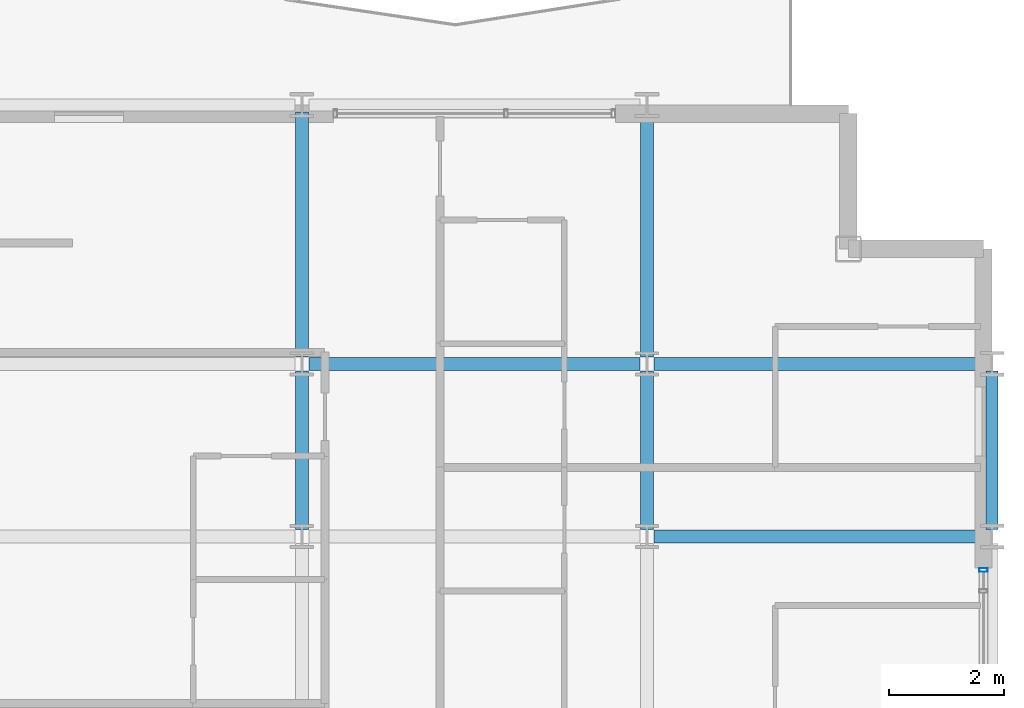
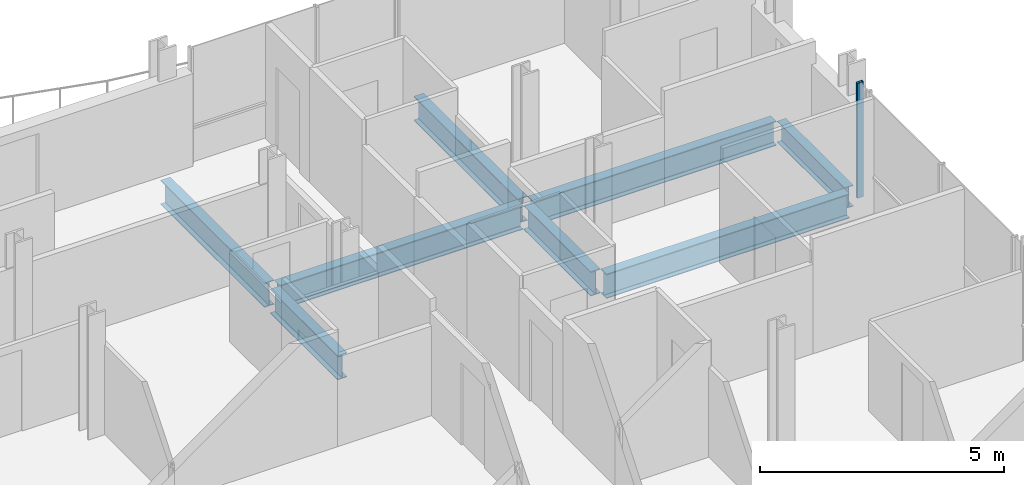
# One storey, part 20 of 40: 8 beams, 1 member, 1 element without a shape of its own.
"""IFC4 building model written with IfcOpenShell, lengths in metres."""

from ifc_helpers import new_model, si_unit, direction, frame, origin, origin_2d, place, context, subcontext, project, spatial, hollow_rectangle, i_section, extrude, material, layer, layer_set, material_profile, profile_set, type_object, element, aggregate, save


model = new_model("IFC4")

# Units and contexts
model_context = context("Model", 3, precision=1e-05, world=origin(), true_north=direction((0.0, 1.0)))
body_context = subcontext(model_context, "Body", "Model", "MODEL_VIEW")
ifc_project = project(units=[si_unit("LENGTHUNIT", "METRE"), si_unit("AREAUNIT", "SQUARE_METRE"), si_unit("VOLUMEUNIT", "CUBIC_METRE"), si_unit("PLANEANGLEUNIT", "RADIAN"), si_unit("MASSUNIT", "GRAM", prefix="KILO")], contexts=[model_context])

# Site, building, storey
site_placement = place(None, origin())
site = spatial("IfcSite", under=ifc_project, at=site_placement, CompositionType="ELEMENT")
building_placement = place(site_placement, origin())
building = spatial("IfcBuilding", under=site, at=building_placement, Name="Brevholm Reach", CompositionType="ELEMENT")
storey_placement = place(building_placement, frame((0.0, 0.0, 119.0)))
storey = spatial("IfcBuildingStorey", under=building, at=storey_placement, Name="L35", CompositionType="ELEMENT", Elevation=119.0)

# Beams
ifc_material_1 = material(Name="Structural Steel S355J2", Category="steel")
ifc_material_profile_1 = material_profile(ifc_material_1, i_section(OverallWidth=0.209228515625, OverallDepth=0.533203125, WebThickness=0.010009765625, FlangeThickness=0.015625, FilletRadius=0.0126953125, at=origin_2d()), Name="UKB 533x210x92")
ifc_profile_set_1 = profile_set([ifc_material_profile_1], Name="Structural Steel S355J2")
beam_type_1 = type_object("IfcBeamType", Name="BM-SP533", PredefinedType="SPANDREL", material=ifc_profile_set_1)
beam_1_placement = place(storey_placement, frame((60.0, 23.6201171875, -0.486572265625), z_axis=(0.0, 1.0, 0.0), x_axis=(-1.0, 0.0, 0.0)))
element("IfcBeam", 1, at=beam_1_placement, inside=storey, type_object=beam_type_1, Name="L35 SP-02 Framing Beam", PredefinedType="SPANDREL", context=body_context, shape_type="SweptSolid", body=[
    extrude(i_section(OverallWidth=0.209228515625, OverallDepth=0.533203125, WebThickness=0.010009765625, FlangeThickness=0.015625, FilletRadius=0.0126953125, at=origin_2d()), origin(), (0.0, 0.0, 1.0), 2.759765625),
])
ifc_material_2 = material(Name="Structural Steel S355J2", Category="steel")
ifc_material_profile_2 = material_profile(ifc_material_2, i_section(OverallWidth=0.22900390625, OverallDepth=0.6123046875, WebThickness=0.011962890625, FlangeThickness=0.01953125, FilletRadius=0.0126953125, at=origin_2d()), Name="UKB 610x229x125")
ifc_profile_set_2 = profile_set([ifc_material_profile_2], Name="Structural Steel S355J2")
beam_type_2 = type_object("IfcBeamType", Name="BM-SP610", PredefinedType="SPANDREL", material=ifc_profile_set_2)
for number, where, z_axis, x_axis, name in (
    (2, (54.1201171875, 23.5, -0.526123046875), (1.0, 0.0, 0.0), (0.0, 1.0, 0.0), "L35 SP-01 Framing Beam"),
    (3, (48.1201171875, 26.5, -0.526123046875), (1.0, 0.0, 0.0), (0.0, 1.0, 0.0), "L35 SP-01 Framing Beam"),
    (4, (54.1201171875, 26.5, -0.526123046875), (1.0, 0.0, 0.0), (0.0, 1.0, 0.0), "L35 SP-01 Framing Beam"),
):
    element("IfcBeam", number, at=place(storey_placement, frame(where, z_axis=z_axis, x_axis=x_axis)), inside=storey, type_object=beam_type_2, Name=name, PredefinedType="SPANDREL", context=body_context, shape_type="SweptSolid", body=[
        extrude(i_section(OverallWidth=0.22900390625, OverallDepth=0.6123046875, WebThickness=0.011962890625, FlangeThickness=0.01953125, FilletRadius=0.0126953125, at=origin_2d()), origin(), (0.0, 0.0, 1.0), 5.759765625),
    ])
beam_2_placement = place(storey_placement, frame((48.0, 23.6201171875, -0.526123046875), z_axis=(0.0, 1.0, 0.0), x_axis=(-1.0, 0.0, 0.0)))
element("IfcBeam", 5, at=beam_2_placement, inside=storey, type_object=beam_type_2, Name="L35 SP-01 Framing Beam", PredefinedType="SPANDREL", context=body_context, shape_type="SweptSolid", body=[
    extrude(i_section(OverallWidth=0.22900390625, OverallDepth=0.6123046875, WebThickness=0.011962890625, FlangeThickness=0.01953125, FilletRadius=0.0126953125, at=origin_2d()), origin(), (0.0, 0.0, 1.0), 2.759765625),
])
beam_3_placement = place(storey_placement, frame((48.0, 26.6201171875, -0.526123046875), z_axis=(0.0, 1.0, 0.0), x_axis=(-1.0, 0.0, 0.0)))
element("IfcBeam", 6, at=beam_3_placement, inside=storey, type_object=beam_type_2, Name="L35 SP-01 Framing Beam", PredefinedType="SPANDREL", context=body_context, shape_type="SweptSolid", body=[
    extrude(i_section(OverallWidth=0.22900390625, OverallDepth=0.6123046875, WebThickness=0.011962890625, FlangeThickness=0.01953125, FilletRadius=0.0126953125, at=origin_2d()), origin(), (0.0, 0.0, 1.0), 4.259765625),
])
beam_4_placement = place(storey_placement, frame((54.0, 23.6201171875, -0.526123046875), z_axis=(0.0, 1.0, 0.0), x_axis=(-1.0, 0.0, 0.0)))
element("IfcBeam", 7, at=beam_4_placement, inside=storey, type_object=beam_type_2, Name="L35 SP-01 Framing Beam", PredefinedType="SPANDREL", context=body_context, shape_type="SweptSolid", body=[
    extrude(i_section(OverallWidth=0.22900390625, OverallDepth=0.6123046875, WebThickness=0.011962890625, FlangeThickness=0.01953125, FilletRadius=0.0126953125, at=origin_2d()), origin(), (0.0, 0.0, 1.0), 2.759765625),
])
beam_5_placement = place(storey_placement, frame((54.0, 26.6201171875, -0.526123046875), z_axis=(0.0, 1.0, 0.0), x_axis=(-1.0, 0.0, 0.0)))
element("IfcBeam", 8, at=beam_5_placement, inside=storey, type_object=beam_type_2, Name="L35 SP-01 Framing Beam", PredefinedType="SPANDREL", context=body_context, shape_type="SweptSolid", body=[
    extrude(i_section(OverallWidth=0.22900390625, OverallDepth=0.6123046875, WebThickness=0.011962890625, FlangeThickness=0.01953125, FilletRadius=0.0126953125, at=origin_2d()), origin(), (0.0, 0.0, 1.0), 4.259765625),
])

# Curtain wall, member
ifc_material_3 = material(Name="Dark Anodised Aluminium 6063-T6 and Solar-Control Glass", Category="aluminium")
ifc_layer = layer(ifc_material_3, 0.14990234375)
ifc_layer_set = layer_set([ifc_layer], Name="Dark Anodised Aluminium 6063-T6 and Solar-Control Glass")
curtain_wall_type = type_object("IfcCurtainWallType", Name="CW-01", PredefinedType="NOTDEFINED", material=ifc_layer_set)
curtain_wall_placement = place(storey_placement, origin())
curtain_wall = element("IfcCurtainWall", 9, at=curtain_wall_placement, inside=storey, type_object=curtain_wall_type, Name="L35 Curtain Wall CW-01", PredefinedType="NOTDEFINED")
ifc_material_4 = material(Name="Dark Anodised Aluminium 6063-T6", Category="aluminium")
ifc_material_profile_3 = material_profile(ifc_material_4, hollow_rectangle(XDim=0.06494140625, YDim=0.14990234375, WallThickness=0.0048828125, InnerFilletRadius=0.0048828125, OuterFilletRadius=0.010009765625, at=origin_2d()), Name="RHS 150x65x5")
ifc_profile_set_3 = profile_set([ifc_material_profile_3], Name="Dark Anodised Aluminium 6063-T6")
member_type = type_object("IfcMemberType", Name="CWM-150", PredefinedType="MULLION", material=ifc_profile_set_3)
member_placement = place(storey_placement, frame((59.85009765625, 22.91748046875, 0.0), z_axis=(0.0, 0.0, 1.0), x_axis=(0.0, 1.0, 0.0)))
member = element("IfcMember", 10, at=member_placement, type_object=member_type, Name="CM-150 Mullion 6", PredefinedType="MULLION", context=body_context, shape_type="SweptSolid", body=[
    extrude(hollow_rectangle(XDim=0.06494140625, YDim=0.14990234375, WallThickness=0.0048828125, InnerFilletRadius=0.0048828125, OuterFilletRadius=0.010009765625, at=origin_2d()), origin(), (0.0, 0.0, 1.0), 2.8798828125),
])
aggregate(curtain_wall, [member])

save(model, "model.ifc")
